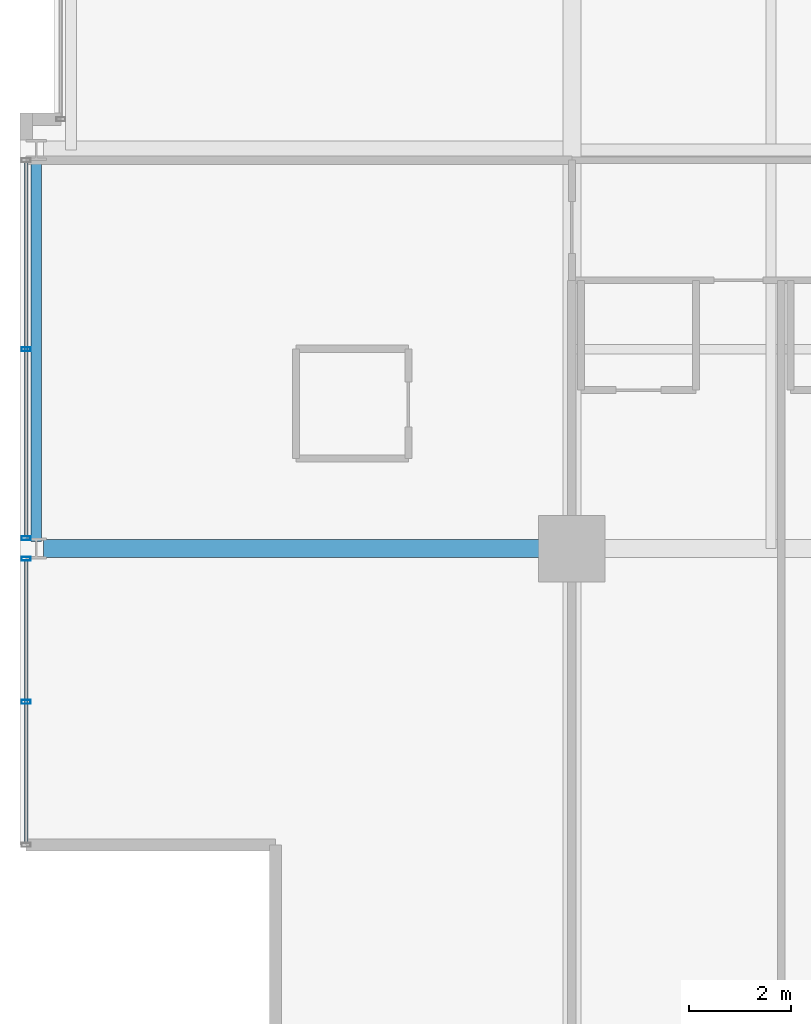
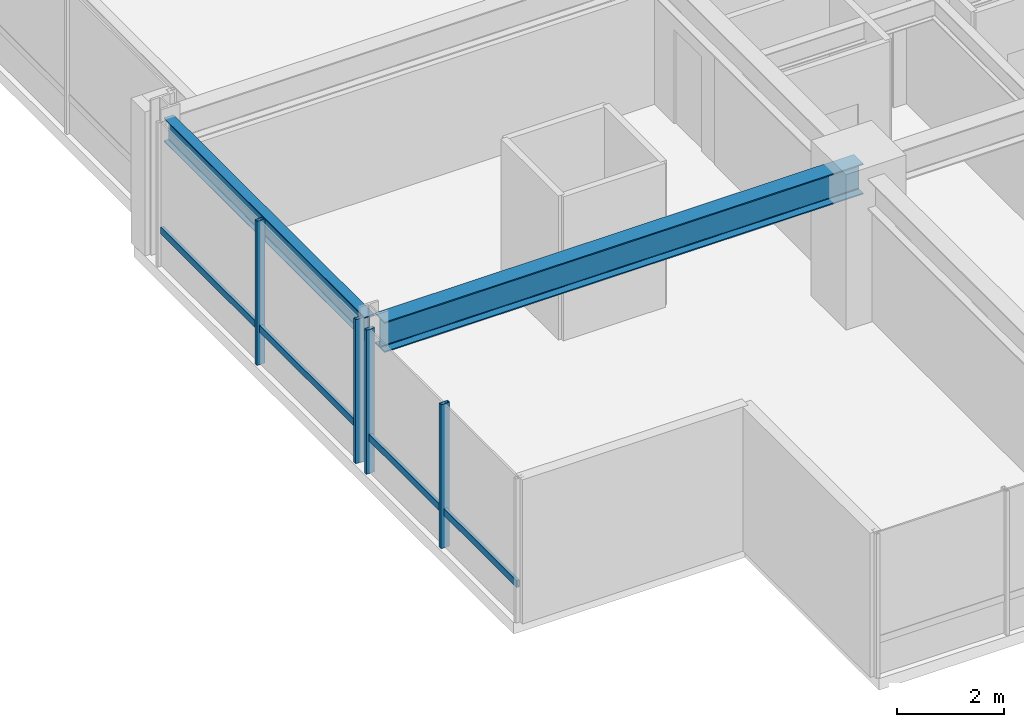
# One storey, part 4 of 32: 6 members, 2 beams, 2 elements without a shape of their own.
"""IFC4 building model written with IfcOpenShell, lengths in metres."""

from ifc_helpers import new_model, si_unit, direction, frame, origin, origin_2d, place, context, subcontext, project, spatial, hollow_rectangle, i_section, extrude, material, layer, layer_set, material_profile, profile_set, type_object, element, aggregate, save


model = new_model("IFC4")

# Units and contexts
model_context = context("Model", 3, precision=1e-05, world=origin(), true_north=direction((0.0, 1.0)))
body_context = subcontext(model_context, "Body", "Model", "MODEL_VIEW")
ifc_project = project(units=[si_unit("LENGTHUNIT", "METRE"), si_unit("AREAUNIT", "SQUARE_METRE"), si_unit("VOLUMEUNIT", "CUBIC_METRE"), si_unit("PLANEANGLEUNIT", "RADIAN"), si_unit("MASSUNIT", "GRAM", prefix="KILO")], contexts=[model_context])

# Site, building, storey
site_placement = place(None, origin())
site = spatial("IfcSite", under=ifc_project, at=site_placement, CompositionType="ELEMENT")
building_placement = place(site_placement, origin())
building = spatial("IfcBuilding", under=site, at=building_placement, Name="Drelvath Grand Hotel", CompositionType="ELEMENT")
storey_placement = place(building_placement, frame((0.0, 0.0, 150.39990234375)))
storey = spatial("IfcBuildingStorey", under=building, at=storey_placement, Name="L38", CompositionType="ELEMENT", Elevation=150.39990234375)

# Curtain wall, member
ifc_material_1 = material(Name="Brushed Pale-Silver Anodised Aluminium Frame", Category="aluminium")
ifc_layer = layer(ifc_material_1, 0.199951171875)
ifc_layer_set = layer_set([ifc_layer], Name="Brushed Pale-Silver Anodised Aluminium Frame")
curtain_wall_type = type_object("IfcCurtainWallType", Name="Stick Curtain Wall CW-04 Brushed Silver Upper-Mid", PredefinedType="NOTDEFINED", material=ifc_layer_set)
curtain_wall_1_placement = place(storey_placement, origin())
curtain_wall_1 = element("IfcCurtainWall", 1, at=curtain_wall_1_placement, inside=storey, type_object=curtain_wall_type, Name="L38 CW-04 Curtain Wall CW04-L38-WS1", PredefinedType="NOTDEFINED")
ifc_material_profile_1 = material_profile(ifc_material_1, hollow_rectangle(XDim=0.06494140625, YDim=0.159912109375, WallThickness=0.00390625, at=origin_2d()), Name="HSS160X65X4")
ifc_profile_set_1 = profile_set([ifc_material_profile_1], Name="Brushed Pale-Silver Anodised Aluminium Frame")
member_type_1 = type_object("IfcMemberType", Name="Curtain Wall Horizontal Transom CW-04 HSS160X65X4", PredefinedType="USERDEFINED", material=ifc_profile_set_1)
member_1_placement = place(storey_placement, frame((-26.8798828125, 5.0400390625, 0.822509765625), z_axis=(0.0, 1.0, 0.0), x_axis=(-1.0, 0.0, 0.0)))
member_1 = element("IfcMember", 2, at=member_1_placement, type_object=member_type_1, Name="CW04-L38-WS1 Sill Transom", ObjectType="TRANSOM", PredefinedType="USERDEFINED", context=body_context, shape_type="SweptSolid", body=[
    extrude(hollow_rectangle(XDim=0.06494140625, YDim=0.159912109375, WallThickness=0.00390625, at=origin_2d()), origin(), (0.0, 0.0, 1.0), 5.519775390625),
])

curtain_wall_2_placement = place(storey_placement, origin())
curtain_wall_2 = element("IfcCurtainWall", 3, at=curtain_wall_2_placement, inside=storey, type_object=curtain_wall_type, Name="L38 CW-04 Curtain Wall CW04-L38-WS2", PredefinedType="NOTDEFINED")
member_2_placement = place(storey_placement, frame((-26.8798828125, 11.0400390625, 0.822509765625), z_axis=(0.0, 1.0, 0.0), x_axis=(-1.0, 0.0, 0.0)))
member_2 = element("IfcMember", 4, at=member_2_placement, type_object=member_type_1, Name="CW04-L38-WS2 Sill Transom", ObjectType="TRANSOM", PredefinedType="USERDEFINED", context=body_context, shape_type="SweptSolid", body=[
    extrude(hollow_rectangle(XDim=0.06494140625, YDim=0.159912109375, WallThickness=0.00390625, at=origin_2d()), origin(), (0.0, 0.0, 1.0), 7.320068359375),
])

# Member
ifc_material_profile_2 = material_profile(ifc_material_1, hollow_rectangle(XDim=0.074951171875, YDim=0.179931640625, WallThickness=0.0048828125, at=origin_2d()), Name="HSS180X75X5")
ifc_profile_set_2 = profile_set([ifc_material_profile_2], Name="Brushed Pale-Silver Anodised Aluminium Frame")
member_type_2 = type_object("IfcMemberType", Name="Curtain Wall Vertical Mullion CW-04 HSS180X75X5", PredefinedType="MULLION", material=ifc_profile_set_2)
member_3_placement = place(storey_placement, frame((-26.8798828125, 7.7998046875, 0.0), z_axis=(0.0, 0.0, 1.0), x_axis=(0.0, 1.0, 0.0)))
member_3 = element("IfcMember", 5, at=member_3_placement, type_object=member_type_2, Name="CW04-L38-WS1 Mullion 2", PredefinedType="MULLION", context=body_context, shape_type="SweptSolid", body=[
    extrude(hollow_rectangle(XDim=0.074951171875, YDim=0.179931640625, WallThickness=0.0048828125, at=origin_2d()), origin(), (0.0, 0.0, 1.0), 3.2900390625),
])

member_4_placement = place(storey_placement, frame((-26.8798828125, 10.599853515625, 0.0), z_axis=(0.0, 0.0, 1.0), x_axis=(0.0, 1.0, 0.0)))
member_4 = element("IfcMember", 6, at=member_4_placement, type_object=member_type_2, Name="CW04-L38-WS1 Mullion 3", PredefinedType="MULLION", context=body_context, shape_type="SweptSolid", body=[
    extrude(hollow_rectangle(XDim=0.074951171875, YDim=0.179931640625, WallThickness=0.0048828125, at=origin_2d()), origin(), (0.0, 0.0, 1.0), 3.2900390625),
])

aggregate(curtain_wall_1, [member_3, member_4, member_1])

member_5_placement = place(storey_placement, frame((-26.8798828125, 11.0, 0.0), z_axis=(0.0, 0.0, 1.0), x_axis=(0.0, 1.0, 0.0)))
member_5 = element("IfcMember", 7, at=member_5_placement, type_object=member_type_2, Name="CW04-L38-WS2 Mullion 1", PredefinedType="MULLION", context=body_context, shape_type="SweptSolid", body=[
    extrude(hollow_rectangle(XDim=0.074951171875, YDim=0.179931640625, WallThickness=0.0048828125, at=origin_2d()), origin(), (0.0, 0.0, 1.0), 3.2900390625),
])

member_6_placement = place(storey_placement, frame((-26.8798828125, 14.699951171875, 0.0), z_axis=(0.0, 0.0, 1.0), x_axis=(0.0, 1.0, 0.0)))
member_6 = element("IfcMember", 8, at=member_6_placement, type_object=member_type_2, Name="CW04-L38-WS2 Mullion 2", PredefinedType="MULLION", context=body_context, shape_type="SweptSolid", body=[
    extrude(hollow_rectangle(XDim=0.074951171875, YDim=0.179931640625, WallThickness=0.0048828125, at=origin_2d()), origin(), (0.0, 0.0, 1.0), 3.2900390625),
])

aggregate(curtain_wall_2, [member_5, member_6, member_2])

# Beams
ifc_material_2 = material(Name="Steel ASTM A992 Gr 50", Category="steel")
ifc_material_profile_3 = material_profile(ifc_material_2, i_section(OverallWidth=0.210205078125, OverallDepth=0.53662109375, WebThickness=0.010986328125, FlangeThickness=0.017333984375, FilletRadius=0.01806640625, at=origin_2d()), Name="W21X68")
ifc_profile_set_3 = profile_set([ifc_material_profile_3], Name="Steel ASTM A992 Gr 50")
beam_type_1 = type_object("IfcBeamType", Name="Perimeter Spandrel Beam W21X68", PredefinedType="SPANDREL", material=ifc_profile_set_3)
beam_1_placement = place(storey_placement, frame((-26.679931640625, 10.93994140625, 3.021728515625), z_axis=(0.0, 1.0, 0.0), x_axis=(-1.0, 0.0, 0.0)))
element("IfcBeam", 9, at=beam_1_placement, inside=storey, type_object=beam_type_1, Name="L38 Spandrel West S", PredefinedType="SPANDREL", context=body_context, shape_type="SweptSolid", body=[
    extrude(i_section(OverallWidth=0.210205078125, OverallDepth=0.53662109375, WebThickness=0.010986328125, FlangeThickness=0.017333984375, FilletRadius=0.01806640625, at=origin_2d()), origin(), (0.0, 0.0, 1.0), 7.52001953125),
])
ifc_material_profile_4 = material_profile(ifc_material_2, i_section(OverallWidth=0.354736328125, OverallDepth=0.695556640625, WebThickness=0.015380859375, FlangeThickness=0.025146484375, FilletRadius=0.02392578125, at=origin_2d()), Name="W27X146")
ifc_profile_set_4 = profile_set([ifc_material_profile_4], Name="Steel ASTM A992 Gr 50")
beam_type_2 = type_object("IfcBeamType", Name="Primary Floor Girder W27X146", PredefinedType="BEAM", material=ifc_profile_set_4)
beam_2_placement = place(storey_placement, frame((-26.5400390625, 10.800048828125, 2.9423828125), z_axis=(1.0, 0.0, 0.0), x_axis=(0.0, 1.0, 0.0)))
element("IfcBeam", 10, at=beam_2_placement, inside=storey, type_object=beam_type_2, Name="L38 West Grid Girder C", PredefinedType="BEAM", context=body_context, shape_type="SweptSolid", body=[
    extrude(i_section(OverallWidth=0.354736328125, OverallDepth=0.695556640625, WebThickness=0.015380859375, FlangeThickness=0.025146484375, FilletRadius=0.02392578125, at=origin_2d()), origin(), (0.0, 0.0, 1.0), 10.340087890625),
])

save(model, "model.ifc")
